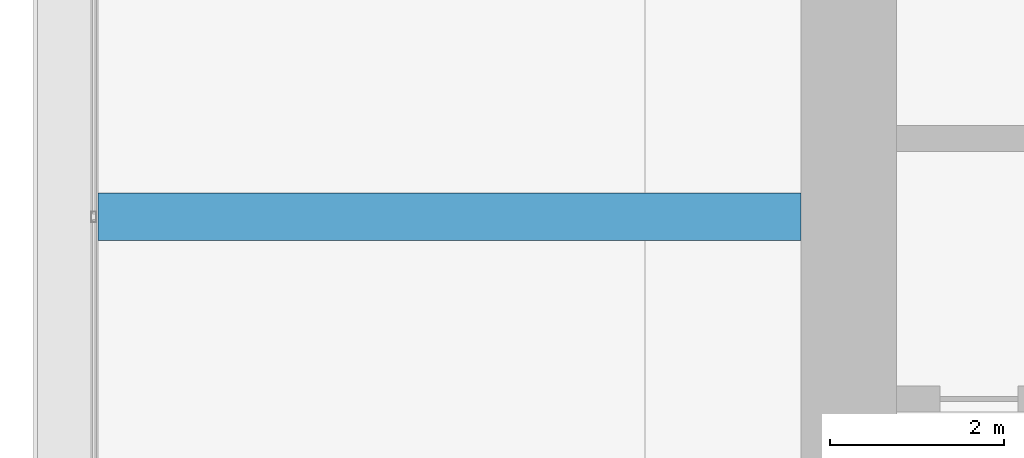
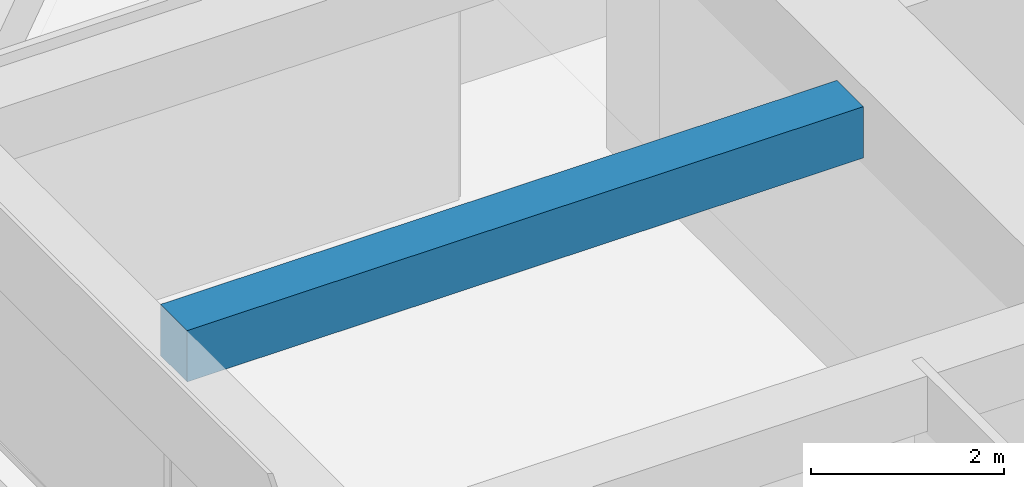
# One storey, part 17 of 44: 1 beam.
"""IFC4 building model written with IfcOpenShell, lengths in metres."""

from ifc_helpers import new_model, si_unit, direction, frame, origin, origin_2d, place, context, subcontext, project, spatial, rectangle, extrude, material, material_profile, profile_set, type_object, element, save


model = new_model("IFC4")

# Units and contexts
model_context = context("Model", 3, precision=1e-05, world=origin(), true_north=direction((0.0, 1.0)))
body_context = subcontext(model_context, "Body", "Model", "MODEL_VIEW")
ifc_project = project(units=[si_unit("LENGTHUNIT", "METRE"), si_unit("AREAUNIT", "SQUARE_METRE"), si_unit("VOLUMEUNIT", "CUBIC_METRE"), si_unit("PLANEANGLEUNIT", "RADIAN"), si_unit("MASSUNIT", "GRAM", prefix="KILO")], contexts=[model_context])

# Site, building, storey
site_placement = place(None, origin())
site = spatial("IfcSite", under=ifc_project, at=site_placement, CompositionType="ELEMENT")
building_placement = place(site_placement, origin())
building = spatial("IfcBuilding", under=site, at=building_placement, Name="Zorevar Civic Tower", CompositionType="ELEMENT")
storey_placement = place(building_placement, frame((0.0, 0.0, 275.39990234375)))
storey = spatial("IfcBuildingStorey", under=building, at=storey_placement, Name="L67", CompositionType="ELEMENT", Elevation=275.39990234375)

# Beam
ifc_material = material(Name="Concrete C50/60", Category="concrete")
ifc_material_profile = material_profile(ifc_material, rectangle(XDim=0.550048828125, YDim=0.64990234375, at=origin_2d()), Name="RC 550x650")
ifc_profile_set = profile_set([ifc_material_profile], Name="Concrete C50/60")
beam_type = type_object("IfcBeamType", Name="Beam RC 550x650", PredefinedType="BEAM", material=ifc_profile_set)
beam_placement = place(storey_placement, frame((9.35009765625, 31.5, 3.425048828125), z_axis=(1.0, 0.0, 0.0), x_axis=(0.0, 1.0, 0.0)))
element("IfcBeam", 1, at=beam_placement, inside=storey, type_object=beam_type, Name="Secondary beam L68", PredefinedType="BEAM", context=body_context, shape_type="SweptSolid", body=[
    extrude(rectangle(XDim=0.550048828125, YDim=0.64990234375, at=origin_2d()), origin(), (0.0, 0.0, 1.0), 8.099853515625),
])

save(model, "model.ifc")
